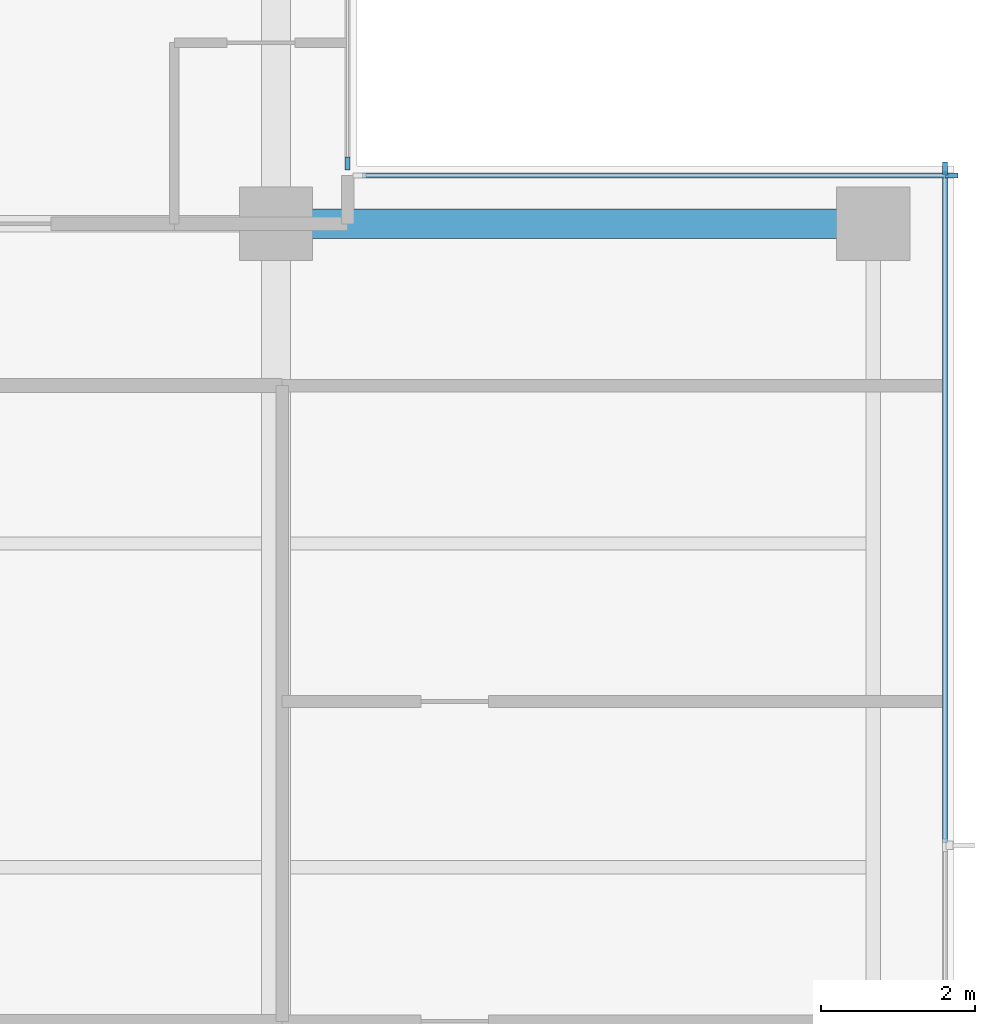
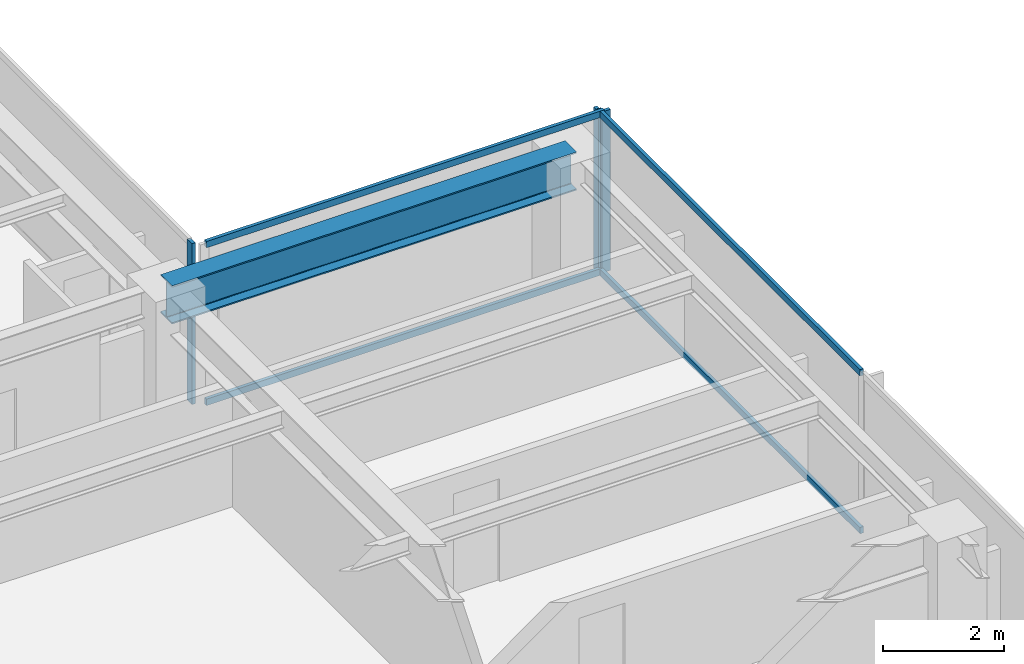
# One storey, part 4 of 15: 7 members, 1 beam, 3 elements without a shape of their own.
"""IFC4 building model written with IfcOpenShell, lengths in metres."""

import ifcopenshell
import ifcopenshell.guid

model = None  # the IFC model being written
_history = None  # IfcOwnerHistory: only IFC2X3 demands one
_inside = {}  # id of a spatial element -> (the spatial element, [elements in it])
_under = {}  # id of a project, library or spatial element -> (it, [spatial elements below it])
_declared = {}  # id of a project -> (the project, [libraries it declares])
_typed = {}  # id of a type object -> (the type object, [elements of that type])
_made_of = {}  # id of a material, layer set ... -> (it, [elements and type objects made of it])


def new_model(schema):
    """Start an empty IFC model of exactly this schema.

    Asked for "IFC4X3", IfcOpenShell would pick the latest addendum, in which some entities
    have other attributes; the version numbers below select the first issue.
    IFC2X3 requires an IfcOwnerHistory on every rooted entity: one is made here for all.
    """
    global model, _history
    if schema == "IFC4X3":
        model = ifcopenshell.file(schema_version=(4, 3, 0, 0))
    else:
        model = ifcopenshell.file(schema=schema)
    _inside.clear()
    _under.clear()
    _declared.clear()
    _typed.clear()
    _made_of.clear()
    _history = None
    if model.schema == "IFC2X3":
        org = make("IfcOrganization", Name="unknown")
        user = make(
            "IfcPersonAndOrganization",
            ThePerson=make("IfcPerson", FamilyName="unknown"),
            TheOrganization=org,
        )
        app = make(
            "IfcApplication",
            ApplicationDeveloper=org,
            Version="unknown",
            ApplicationFullName="unknown",
            ApplicationIdentifier="unknown",
        )
        _history = make(
            "IfcOwnerHistory",
            OwningUser=user,
            OwningApplication=app,
            ChangeAction="ADDED",
            CreationDate=0,
        )
    return model


def make(cls, **values):
    """One entity of the class cls with the attributes given. An attribute that is None is left unset."""
    return model.create_entity(
        cls, **{name: value for name, value in values.items() if value is not None}
    )


def rooted(cls, **values):
    """An entity with a GlobalId (a new one), such as an element, a storey or a relation."""
    return make(cls, GlobalId=ifcopenshell.guid.new(), OwnerHistory=_history, **values)


def si_unit(unit_type, name, prefix=None):
    """IfcSIUnit, for example si_unit("LENGTHUNIT", "METRE", prefix="MILLI")."""
    return make("IfcSIUnit", UnitType=unit_type, Prefix=prefix, Name=name)


def assignment(units):
    """IfcUnitAssignment: the units of a project."""
    return None if units is None else make("IfcUnitAssignment", Units=units)


def point(xyz):
    """IfcCartesianPoint."""
    return None if xyz is None else make("IfcCartesianPoint", Coordinates=xyz)


def direction(xyz):
    """IfcDirection."""
    return None if xyz is None else make("IfcDirection", DirectionRatios=xyz)


def frame(location, z_axis=None, x_axis=None):
    """IfcAxis2Placement3D, a coordinate frame: its origin and axes. An axis left out is left unset."""
    return make(
        "IfcAxis2Placement3D",
        Location=point(location),
        Axis=direction(z_axis),
        RefDirection=direction(x_axis),
    )


def frame_2d(location, x_axis=None):
    """IfcAxis2Placement2D, a coordinate frame in the plane: its origin and x axis."""
    return make(
        "IfcAxis2Placement2D", Location=point(location), RefDirection=direction(x_axis)
    )


def origin():
    """The frame at (0, 0, 0) with its axes left unset."""
    return frame((0.0, 0.0, 0.0))


def origin_2d():
    """The frame at (0, 0) in the plane with its x axis left unset."""
    return frame_2d((0.0, 0.0))


def place(relative_to, where):
    """IfcLocalPlacement: puts the frame where relative to a parent placement (None: the world)."""
    return make(
        "IfcLocalPlacement", PlacementRelTo=relative_to, RelativePlacement=where
    )


def context(
    kind, dimensions, precision=None, world=None, true_north=None, identifier=None
):
    """IfcGeometricRepresentationContext, for example the 3D "Model" context."""
    return make(
        "IfcGeometricRepresentationContext",
        ContextIdentifier=identifier,
        ContextType=kind,
        CoordinateSpaceDimension=dimensions,
        Precision=precision,
        WorldCoordinateSystem=world,
        TrueNorth=true_north,
    )


def subcontext(parent, identifier, kind, view, scale=None):
    """IfcGeometricRepresentationSubContext, for example "Body" below "Model"."""
    return make(
        "IfcGeometricRepresentationSubContext",
        ContextIdentifier=identifier,
        ContextType=kind,
        ParentContext=parent,
        TargetScale=scale,
        TargetView=view,
    )


def project(units=None, contexts=None):
    """IfcProject with its units and contexts."""
    return rooted(
        "IfcProject",
        Name="project",
        RepresentationContexts=contexts,
        UnitsInContext=assignment(units),
    )


def spatial(cls, under=None, at=None, **own):
    """A site, building, storey or space (cls), placed at a placement, below another one or the project."""
    s = rooted(cls, ObjectPlacement=at, **own)
    if under is not None:
        _under.setdefault(under.id(), (under, []))[1].append(s)
    return s


def profile(cls, at=None, kind="AREA", **sizes):
    """A parametric profile (cls). Its sizes go by their IFC names, for example OverallWidth=200.0."""
    return make(cls, ProfileType=kind, Position=at, **sizes)


def rectangle(**sizes):
    """IfcRectangleProfileDef."""
    return profile("IfcRectangleProfileDef", **sizes)


def i_section(**sizes):
    """IfcIShapeProfileDef."""
    return profile("IfcIShapeProfileDef", **sizes)


def extrude(swept, where, along, depth):
    """IfcExtrudedAreaSolid: the profile swept, set in the frame where, extruded along a direction by depth."""
    return make(
        "IfcExtrudedAreaSolid",
        SweptArea=swept,
        Position=where,
        ExtrudedDirection=direction(along),
        Depth=depth,
    )


def shape(context_of_items, identifier, shape_type, items):
    """IfcShapeRepresentation: the items that make up one representation, for example the "Body"."""
    return make(
        "IfcShapeRepresentation",
        ContextOfItems=context_of_items,
        RepresentationIdentifier=identifier,
        RepresentationType=shape_type,
        Items=items,
    )


def material(Name=None, Category=None):
    """IfcMaterial."""
    return make("IfcMaterial", Name=Name, Category=Category)


def layer(
    of_material, thickness, ventilated=None, Name=None, Category=None, Priority=None
):
    """IfcMaterialLayer: one layer of a wall or slab, of a material (None: an air gap)."""
    return make(
        "IfcMaterialLayer",
        Material=of_material,
        LayerThickness=thickness,
        IsVentilated=ventilated,
        Name=Name,
        Category=Category,
        Priority=Priority,
    )


def layer_set(layers, Name=None):
    """IfcMaterialLayerSet."""
    return make("IfcMaterialLayerSet", MaterialLayers=layers, LayerSetName=Name)


def material_profile(
    of_material, cross_section, Name=None, Category=None, Priority=None
):
    """IfcMaterialProfile: a cross section and its material."""
    return make(
        "IfcMaterialProfile",
        Name=Name,
        Material=of_material,
        Profile=cross_section,
        Priority=Priority,
        Category=Category,
    )


def profile_set(profiles, Name=None, composite=None):
    """IfcMaterialProfileSet."""
    return make(
        "IfcMaterialProfileSet",
        Name=Name,
        MaterialProfiles=profiles,
        CompositeProfile=composite,
    )


def made_of(thing, what):
    """Note that an element or type object is made of a material, layer set ...; save() writes the relation."""
    if what is not None:
        _made_of.setdefault(what.id(), (what, []))[1].append(thing)
    return thing


def type_object(cls, material=None, **own):
    """A type object (cls), such as IfcWallType, which elements share."""
    return made_of(rooted(cls, **own), material)


def element(
    cls,
    number,
    at=None,
    inside=None,
    cuts=None,
    type_object=None,
    material=None,
    context=None,
    identifier="Body",
    shape_type=None,
    held_by="IfcProductDefinitionShape",
    body=None,
    shapes=None,
    **own,
):
    """One element of the class cls, such as IfcWall. Its Tag is "e" and its number.

    at: its placement. inside: the storey or other place that contains it. cuts: it is an
    opening in that element (IfcRelVoidsElement). A single representation is given by context,
    identifier, shape_type and body (its items); several are given by shapes. held_by: the class
    of the entity that holds the representations. save() writes the other relations.
    """
    e = rooted(cls, Tag="e%d" % number, ObjectPlacement=at, **own)
    if body is not None:
        shapes = [shape(context, identifier, shape_type, body)]
    if shapes is not None:
        e.Representation = make(held_by, Representations=shapes)
    if inside is not None:
        _inside.setdefault(inside.id(), (inside, []))[1].append(e)
    if cuts is not None:
        rooted(
            "IfcRelVoidsElement", RelatingBuildingElement=cuts, RelatedOpeningElement=e
        )
    if type_object is not None:
        _typed.setdefault(type_object.id(), (type_object, []))[1].append(e)
    return made_of(e, material)


def aggregate(whole, parts):
    """IfcRelAggregates: a whole, such as a stair, and the parts it consists of."""
    return rooted("IfcRelAggregates", RelatingObject=whole, RelatedObjects=parts)


def save(model, path):
    """Write the relations noted so far, then the file.

    IfcRelAggregates (storeys below a building ...), IfcRelContainedInSpatialStructure (elements
    in a storey), IfcRelDefinesByType, IfcRelAssociatesMaterial and IfcRelDeclares: one each for
    every whole, place, type object, material and project.
    """
    for whole, parts in _under.values():
        aggregate(whole, parts)
    for where, things in _inside.values():
        rooted(
            "IfcRelContainedInSpatialStructure",
            RelatedElements=things,
            RelatingStructure=where,
        )
    for kind, things in _typed.values():
        rooted("IfcRelDefinesByType", RelatedObjects=things, RelatingType=kind)
    for what, things in _made_of.values():
        rooted("IfcRelAssociatesMaterial", RelatedObjects=things, RelatingMaterial=what)
    for by, libraries in _declared.values():
        rooted("IfcRelDeclares", RelatingContext=by, RelatedDefinitions=libraries)
    model.write(path)


model = new_model("IFC4")

# Units and contexts
model_context = context("Model", 3, precision=1e-05, world=origin(), true_north=direction((0.0, 1.0)))
body_context = subcontext(model_context, "Body", "Model", "MODEL_VIEW")
ifc_project = project(units=[si_unit("LENGTHUNIT", "METRE"), si_unit("AREAUNIT", "SQUARE_METRE"), si_unit("VOLUMEUNIT", "CUBIC_METRE"), si_unit("PLANEANGLEUNIT", "RADIAN"), si_unit("MASSUNIT", "GRAM", prefix="KILO")], contexts=[model_context])

# Site, building, storey
site_placement = place(None, origin())
site = spatial("IfcSite", under=ifc_project, at=site_placement, CompositionType="ELEMENT")
building_placement = place(site_placement, origin())
building = spatial("IfcBuilding", under=site, at=building_placement, Name="Qalmaran Belvedere Hotel", CompositionType="ELEMENT")
storey_placement = place(building_placement, frame((0.0, 0.0, 231.89990234375)))
storey = spatial("IfcBuildingStorey", under=building, at=storey_placement, Name="L59", CompositionType="ELEMENT", Elevation=231.89990234375)

# Beam
ifc_material_1 = material(Name="Steel S355JR", Category="steel")
ifc_material_profile_1 = material_profile(ifc_material_1, i_section(OverallWidth=0.381103515625, OverallDepth=0.77294921875, WebThickness=0.0166015625, FlangeThickness=0.027099609375, FilletRadius=0.02197265625, at=origin_2d()), Name="W760X257")
ifc_profile_set_1 = profile_set([ifc_material_profile_1], Name="Steel S355JR")
beam_type = type_object("IfcBeamType", Name="BM-PG4-W760X257", PredefinedType="USERDEFINED", material=ifc_profile_set_1)
beam_placement = place(storey_placement, frame((44.800048828125, 33.0, 2.87353515625), z_axis=(1.0, 0.0, 0.0), x_axis=(0.0, 1.0, 0.0)))
element("IfcBeam", 1, at=beam_placement, inside=storey, type_object=beam_type, Name="L59 East Wing Girder 27", ObjectType="GIRDER", PredefinedType="USERDEFINED", context=body_context, shape_type="SweptSolid", body=[
    extrude(i_section(OverallWidth=0.381103515625, OverallDepth=0.77294921875, WebThickness=0.0166015625, FlangeThickness=0.027099609375, FilletRadius=0.02197265625, at=origin_2d()), origin(), (0.0, 0.0, 1.0), 7.75),
])

# Curtain wall, member
ifc_material_2 = material(Name="Anodised Bronze Aluminium", Category="aluminium")
ifc_layer = layer(ifc_material_2, 0.18994140625, Name="Anodised Bronze Aluminium")
ifc_layer_set = layer_set([ifc_layer], Name="Anodised Bronze Aluminium")
curtain_wall_type = type_object("IfcCurtainWallType", Name="CW5-TOWER-UPPER", PredefinedType="NOTDEFINED", material=ifc_layer_set)
curtain_wall_1_placement = place(storey_placement, origin())
curtain_wall_1 = element("IfcCurtainWall", 2, at=curtain_wall_1_placement, inside=storey, type_object=curtain_wall_type, Name="L59 Curtain Wall CW5", PredefinedType="NOTDEFINED")
ifc_material_profile_2 = material_profile(ifc_material_2, rectangle(XDim=0.06494140625, YDim=0.1650390625, at=origin_2d()), Name="CWM65X165")
ifc_profile_set_2 = profile_set([ifc_material_profile_2], Name="Anodised Bronze Aluminium")
member_type_1 = type_object("IfcMemberType", Name="CWM-65X165", PredefinedType="MULLION", material=ifc_profile_set_2)
member_1_placement = place(storey_placement, frame((53.47998046875, 33.717529296875, 0.0), z_axis=(0.0, 0.0, 1.0), x_axis=(-1.0, 0.0, 0.0)))
member_1 = element("IfcMember", 3, at=member_1_placement, type_object=member_type_1, Name="CW5 mullion 4", PredefinedType="MULLION", context=body_context, shape_type="SweptSolid", body=[
    extrude(rectangle(XDim=0.06494140625, YDim=0.1650390625, at=origin_2d()), origin(), (0.0, 0.0, 1.0), 3.260009765625),
])

curtain_wall_2_placement = place(storey_placement, origin())
curtain_wall_2 = element("IfcCurtainWall", 4, at=curtain_wall_2_placement, inside=storey, type_object=curtain_wall_type, Name="L59 Curtain Wall CW5", PredefinedType="NOTDEFINED")
member_2_placement = place(storey_placement, frame((53.5673828125, 33.6298828125, 0.0), z_axis=(0.0, 0.0, 1.0), x_axis=(0.0, -1.0, 0.0)))
member_2 = element("IfcMember", 5, at=member_2_placement, type_object=member_type_1, Name="CW5 mullion 1", PredefinedType="MULLION", context=body_context, shape_type="SweptSolid", body=[
    extrude(rectangle(XDim=0.06494140625, YDim=0.1650390625, at=origin_2d()), origin(), (0.0, 0.0, 1.0), 3.260009765625),
])

curtain_wall_3_placement = place(storey_placement, origin())
curtain_wall_3 = element("IfcCurtainWall", 6, at=curtain_wall_3_placement, inside=storey, type_object=curtain_wall_type, Name="L59 Curtain Wall CW5", PredefinedType="NOTDEFINED")
member_3_placement = place(storey_placement, frame((45.72998046875, 33.782470703125, 0.0), z_axis=(0.0, 0.0, 1.0), x_axis=(-1.0, 0.0, 0.0)))
member_3 = element("IfcMember", 7, at=member_3_placement, type_object=member_type_1, Name="CW5 mullion 1", PredefinedType="MULLION", context=body_context, shape_type="SweptSolid", body=[
    extrude(rectangle(XDim=0.06494140625, YDim=0.1650390625, at=origin_2d()), origin(), (0.0, 0.0, 1.0), 3.260009765625),
])
aggregate(curtain_wall_3, [member_3])

# Member
ifc_material_profile_3 = material_profile(ifc_material_2, rectangle(XDim=0.06494140625, YDim=0.1298828125, at=origin_2d()), Name="CWT65X130")
ifc_profile_set_3 = profile_set([ifc_material_profile_3], Name="Anodised Bronze Aluminium")
member_type_2 = type_object("IfcMemberType", Name="CWT-65X130", PredefinedType="USERDEFINED", material=ifc_profile_set_3)
member_4_placement = place(storey_placement, frame((53.47998046875, 24.9658203125, 0.03271484375), z_axis=(0.0, 1.0, 0.0), x_axis=(-1.0, 0.0, 0.0)))
member_4 = element("IfcMember", 8, at=member_4_placement, type_object=member_type_2, Name="CW5 transom 3.1", ObjectType="TRANSOM", PredefinedType="USERDEFINED", context=body_context, shape_type="SweptSolid", body=[
    extrude(rectangle(XDim=0.06494140625, YDim=0.1298828125, at=origin_2d()), origin(), (0.0, 0.0, 1.0), 8.71923828125),
])

member_5_placement = place(storey_placement, frame((53.47998046875, 24.9658203125, 3.2275390625), z_axis=(0.0, 1.0, 0.0), x_axis=(-1.0, 0.0, 0.0)))
member_5 = element("IfcMember", 9, at=member_5_placement, type_object=member_type_2, Name="CW5 transom 3.2", ObjectType="TRANSOM", PredefinedType="USERDEFINED", context=body_context, shape_type="SweptSolid", body=[
    extrude(rectangle(XDim=0.06494140625, YDim=0.1298828125, at=origin_2d()), origin(), (0.0, 0.0, 1.0), 8.71923828125),
])

aggregate(curtain_wall_1, [member_1, member_4, member_5])

member_6_placement = place(storey_placement, frame((53.534912109375, 33.6298828125, 0.03271484375), z_axis=(-1.0, 0.0, 0.0), x_axis=(0.0, -1.0, 0.0)))
member_6 = element("IfcMember", 10, at=member_6_placement, type_object=member_type_2, Name="CW5 transom 1.1", ObjectType="TRANSOM", PredefinedType="USERDEFINED", context=body_context, shape_type="SweptSolid", body=[
    extrude(rectangle(XDim=0.06494140625, YDim=0.1298828125, at=origin_2d()), origin(), (0.0, 0.0, 1.0), 7.619873046875),
])

member_7_placement = place(storey_placement, frame((53.534912109375, 33.6298828125, 3.2275390625), z_axis=(-1.0, 0.0, 0.0), x_axis=(0.0, -1.0, 0.0)))
member_7 = element("IfcMember", 11, at=member_7_placement, type_object=member_type_2, Name="CW5 transom 1.2", ObjectType="TRANSOM", PredefinedType="USERDEFINED", context=body_context, shape_type="SweptSolid", body=[
    extrude(rectangle(XDim=0.06494140625, YDim=0.1298828125, at=origin_2d()), origin(), (0.0, 0.0, 1.0), 7.619873046875),
])

aggregate(curtain_wall_2, [member_2, member_6, member_7])

save(model, "model.ifc")
